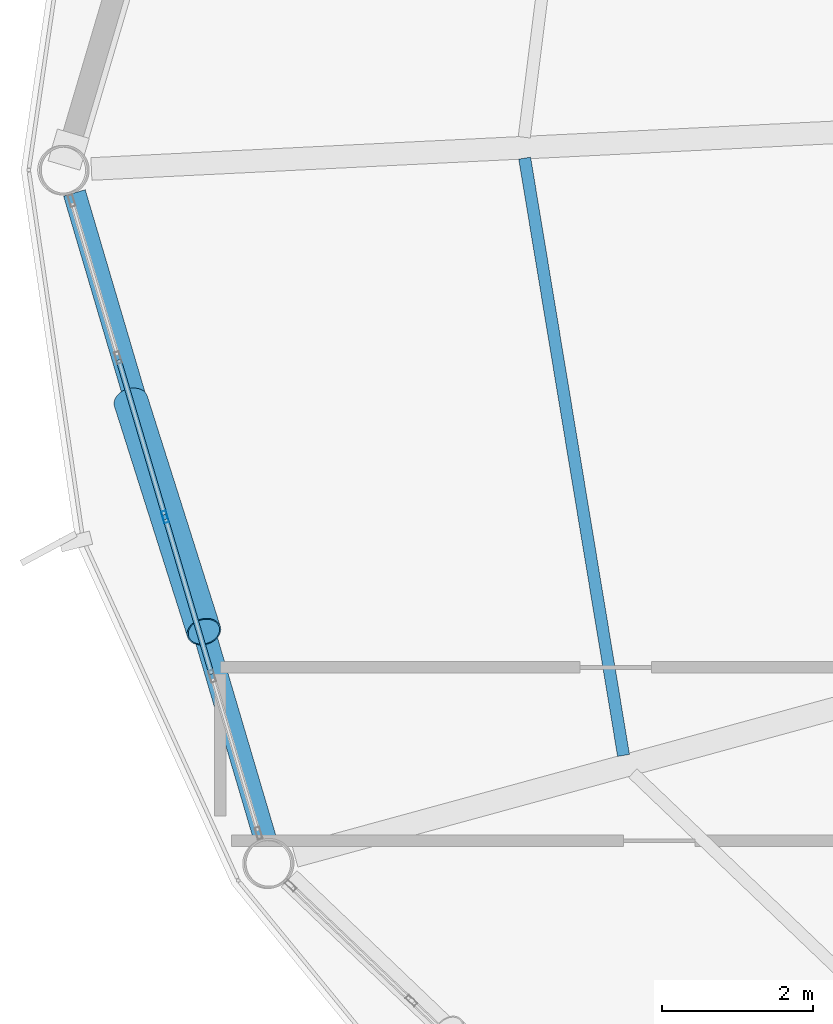
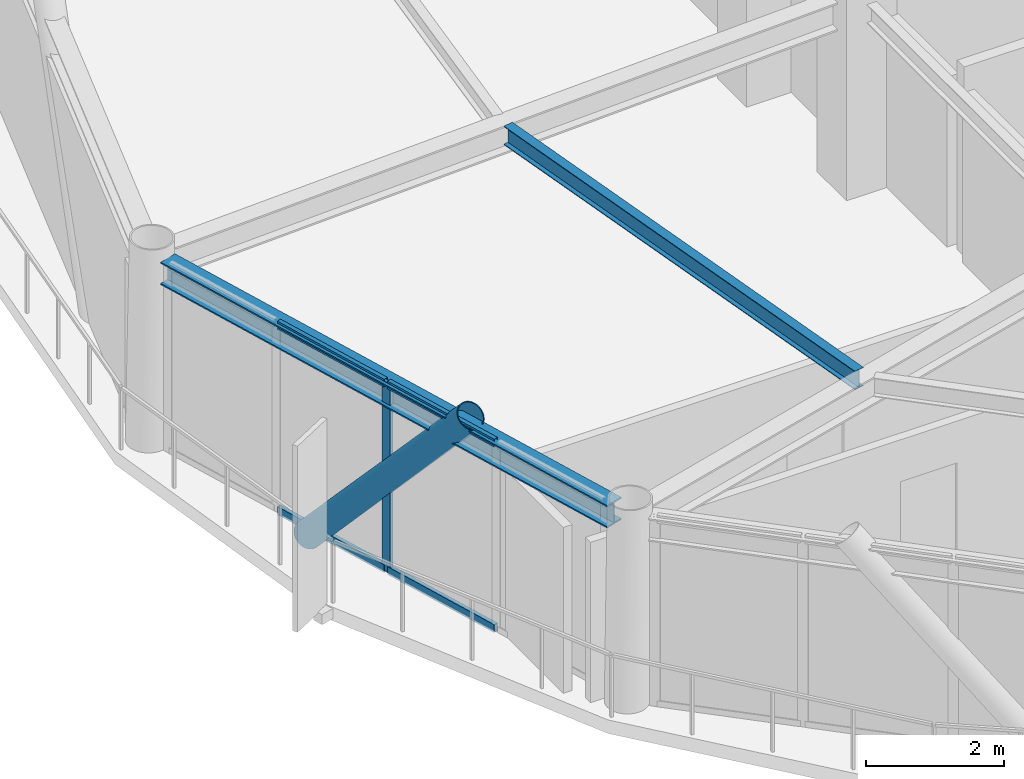
# One storey, part 5 of 28: 6 members, 2 beams, 1 element without a shape of its own.
"""IFC4 building model written with IfcOpenShell, lengths in metres."""

from ifc_helpers import new_model, si_unit, direction, frame, origin, origin_2d, place, context, subcontext, project, spatial, hollow_rectangle, hollow_circle, i_section, extrude, material, layer, layer_set, material_profile, profile_set, type_object, element, aggregate, save


model = new_model("IFC4")

# Units and contexts
model_context = context("Model", 3, precision=1e-05, world=origin(), true_north=direction((0.0, 1.0)))
body_context = subcontext(model_context, "Body", "Model", "MODEL_VIEW")
ifc_project = project(units=[si_unit("LENGTHUNIT", "METRE"), si_unit("AREAUNIT", "SQUARE_METRE"), si_unit("VOLUMEUNIT", "CUBIC_METRE"), si_unit("PLANEANGLEUNIT", "RADIAN"), si_unit("MASSUNIT", "GRAM", prefix="KILO")], contexts=[model_context])

# Site, building, storey
site_placement = place(None, origin())
site = spatial("IfcSite", under=ifc_project, at=site_placement, CompositionType="ELEMENT")
building_placement = place(site_placement, origin())
building = spatial("IfcBuilding", under=site, at=building_placement, Name="Varnakorn Sky Granary", CompositionType="ELEMENT")
storey_placement = place(building_placement, frame((0.0, 0.0, 196.800048828125)))
storey = spatial("IfcBuildingStorey", under=building, at=storey_placement, Name="L49", CompositionType="ELEMENT", Elevation=196.800048828125)

# Beams
ifc_material_1 = material(Name="Steel S355JR", Category="steel")
ifc_material_profile_1 = material_profile(ifc_material_1, i_section(OverallWidth=0.159912109375, OverallDepth=0.330078125, WebThickness=0.007568359375, FlangeThickness=0.011474609375, at=origin_2d()), Name="IPE 330")
ifc_profile_set_1 = profile_set([ifc_material_profile_1], Name="Steel S355JR")
beam_type_1 = type_object("IfcBeamType", Name="BM-SEC-Z4", PredefinedType="BEAM", material=ifc_profile_set_1)
beam_1_placement = place(storey_placement, frame((-8.460205078125, 0.15966796875, 3.195068359375), z_axis=(0.163300226859, -0.986576421727, 0.0), x_axis=(0.986576421727, 0.163300226859, 0.0)))
element("IfcBeam", 1, at=beam_1_placement, inside=storey, type_object=beam_type_1, Name="Secondary Floor Chord Beam MSB07 L49", PredefinedType="BEAM", context=body_context, shape_type="SweptSolid", body=[
    extrude(i_section(OverallWidth=0.159912109375, OverallDepth=0.330078125, WebThickness=0.007568359375, FlangeThickness=0.011474609375, at=origin_2d()), origin(), (0.0, 0.0, 1.0), 8.035888671875),
])
ifc_material_profile_2 = material_profile(ifc_material_1, i_section(OverallWidth=0.300048828125, OverallDepth=0.39990234375, WebThickness=0.013427734375, FlangeThickness=0.02392578125, at=origin_2d()), Name="HE 400 B")
ifc_profile_set_2 = profile_set([ifc_material_profile_2], Name="Steel S355JR")
beam_type_2 = type_object("IfcBeamType", Name="BM-SPD-Z4", PredefinedType="SPANDREL", material=ifc_profile_set_2)
beam_2_placement = place(storey_placement, frame((-14.436767578125, -0.302001953125, 3.159912109375), z_axis=(0.283136334563, -0.959079671378, 0.0), x_axis=(0.959079671378, 0.283136334563, 0.0)))
element("IfcBeam", 2, at=beam_2_placement, inside=storey, type_object=beam_type_2, Name="Perimeter Spandrel Ring Beam RB07 L49", PredefinedType="SPANDREL", context=body_context, shape_type="SweptSolid", body=[
    extrude(i_section(OverallWidth=0.300048828125, OverallDepth=0.39990234375, WebThickness=0.013427734375, FlangeThickness=0.02392578125, at=origin_2d()), origin(), (0.0, 0.0, 1.0), 8.951171875),
])

# Curtain wall, members
ifc_material_2 = material(Name="Anodised Bronze Aluminium Alloy 6063-T6", Category="aluminium")
ifc_layer = layer(ifc_material_2, 0.169921875, Name="Anodised Bronze Aluminium Alloy 6063-T6")
ifc_layer_set = layer_set([ifc_layer], Name="Anodised Bronze Aluminium Alloy 6063-T6")
curtain_wall_type = type_object("IfcCurtainWallType", Name="CW-LAB-1", PredefinedType="USERDEFINED", material=ifc_layer_set)
curtain_wall_placement = place(storey_placement, origin())
curtain_wall = element("IfcCurtainWall", 3, at=curtain_wall_placement, inside=storey, type_object=curtain_wall_type, Name="Unitised Curtain Wall CW5 CW-L49-B07", ObjectType="CURTAIN WALL", PredefinedType="USERDEFINED")
ifc_material_profile_3 = material_profile(ifc_material_2, hollow_rectangle(XDim=0.06494140625, YDim=0.159912109375, WallThickness=0.00341796875, at=origin_2d()), Name="ALU MULL 65x160")
ifc_profile_set_3 = profile_set([ifc_material_profile_3], Name="Anodised Bronze Aluminium Alloy 6063-T6")
member_type_1 = type_object("IfcMemberType", Name="CW-LAB-1-MULL", PredefinedType="MULLION", material=ifc_profile_set_3)
member_1_placement = place(storey_placement, frame((-13.233154296875, -4.60302734375, 0.0), z_axis=(0.0, 0.0, 1.0), x_axis=(-0.958963914964, -0.283528146394, 0.0)))
member_1 = element("IfcMember", 4, at=member_1_placement, type_object=member_type_1, Name="CW5 mullion 3", PredefinedType="MULLION", context=body_context, shape_type="SweptSolid", body=[
    extrude(hollow_rectangle(XDim=0.06494140625, YDim=0.159912109375, WallThickness=0.00341796875, at=origin_2d()), origin(), (0.0, 0.0, 1.0), 3.35986328125),
])
ifc_material_profile_4 = material_profile(ifc_material_2, hollow_rectangle(XDim=0.070068359375, YDim=0.139892578125, WallThickness=0.00341796875, at=origin_2d()), Name="ALU TRAN 70x140")
ifc_profile_set_4 = profile_set([ifc_material_profile_4], Name="Anodised Bronze Aluminium Alloy 6063-T6")
member_type_2 = type_object("IfcMemberType", Name="CW-LAB-1-TRAN", PredefinedType="USERDEFINED", material=ifc_profile_set_4)
member_2_placement = place(storey_placement, frame((-12.6171875, -6.686279296875, 0.034912109375), z_axis=(-0.283525001683, 0.958964844726, 0.0), x_axis=(-0.958964844726, -0.283525001683, 0.0)))
member_2 = element("IfcMember", 5, at=member_2_placement, type_object=member_type_2, Name="CW5 transom 2.1", ObjectType="TRANSOM", PredefinedType="USERDEFINED", context=body_context, shape_type="SweptSolid", body=[
    extrude(hollow_rectangle(XDim=0.070068359375, YDim=0.139892578125, WallThickness=0.00341796875, at=origin_2d()), origin(), (0.0, 0.0, 1.0), 2.139892578125),
])
member_3_placement = place(storey_placement, frame((-12.6171875, -6.686279296875, 3.324951171875), z_axis=(-0.283525001683, 0.958964844726, 0.0), x_axis=(-0.958964844726, -0.283525001683, 0.0)))
member_3 = element("IfcMember", 6, at=member_3_placement, type_object=member_type_2, Name="CW5 transom 2.2", ObjectType="TRANSOM", PredefinedType="USERDEFINED", context=body_context, shape_type="SweptSolid", body=[
    extrude(hollow_rectangle(XDim=0.070068359375, YDim=0.139892578125, WallThickness=0.00341796875, at=origin_2d()), origin(), (0.0, 0.0, 1.0), 2.139892578125),
])
member_4_placement = place(storey_placement, frame((-13.2421875, -4.57177734375, 0.034912109375), z_axis=(-0.283629919505, 0.95893381876, 0.0), x_axis=(-0.95893381876, -0.283629919505, 0.0)))
member_4 = element("IfcMember", 7, at=member_4_placement, type_object=member_type_2, Name="CW5 transom 3.1", ObjectType="TRANSOM", PredefinedType="USERDEFINED", context=body_context, shape_type="SweptSolid", body=[
    extrude(hollow_rectangle(XDim=0.070068359375, YDim=0.139892578125, WallThickness=0.00341796875, at=origin_2d()), origin(), (0.0, 0.0, 1.0), 2.139892578125),
])
member_5_placement = place(storey_placement, frame((-13.2421875, -4.57177734375, 3.324951171875), z_axis=(-0.283629919505, 0.95893381876, 0.0), x_axis=(-0.95893381876, -0.283629919505, 0.0)))
member_5 = element("IfcMember", 8, at=member_5_placement, type_object=member_type_2, Name="CW5 transom 3.2", ObjectType="TRANSOM", PredefinedType="USERDEFINED", context=body_context, shape_type="SweptSolid", body=[
    extrude(hollow_rectangle(XDim=0.070068359375, YDim=0.139892578125, WallThickness=0.00341796875, at=origin_2d()), origin(), (0.0, 0.0, 1.0), 2.139892578125),
])
aggregate(curtain_wall, [member_1, member_2, member_3, member_4, member_5])

# Member
ifc_material_3 = material(Name="Steel S460M", Category="steel")
ifc_material_profile_5 = material_profile(ifc_material_3, hollow_circle(Radius=0.228515625, WallThickness=0.01611328125, at=origin_2d()), Name="CHS 457x16")
ifc_profile_set_5 = profile_set([ifc_material_profile_5], Name="Steel S460M")
member_type_3 = type_object("IfcMemberType", Name="MB-DIAG-T3", PredefinedType="BRACE", material=ifc_profile_set_5)
member_6_placement = place(storey_placement, frame((-13.686767578125, -3.068603515625, -0.130126953125), z_axis=(0.200398752192, -0.63213943922, 0.748491863351), x_axis=(0.95324614839, 0.302194938043, 0.0)))
element("IfcMember", 9, at=member_6_placement, inside=storey, type_object=member_type_3, Name="Perimeter CHS Diagrid Brace DG07 L49", PredefinedType="BRACE", context=body_context, shape_type="SweptSolid", body=[
    extrude(hollow_circle(Radius=0.228515625, WallThickness=0.01611328125, at=origin_2d()), origin(), (0.0, 0.0, 1.0), 4.836669921875),
])

save(model, "model.ifc")
